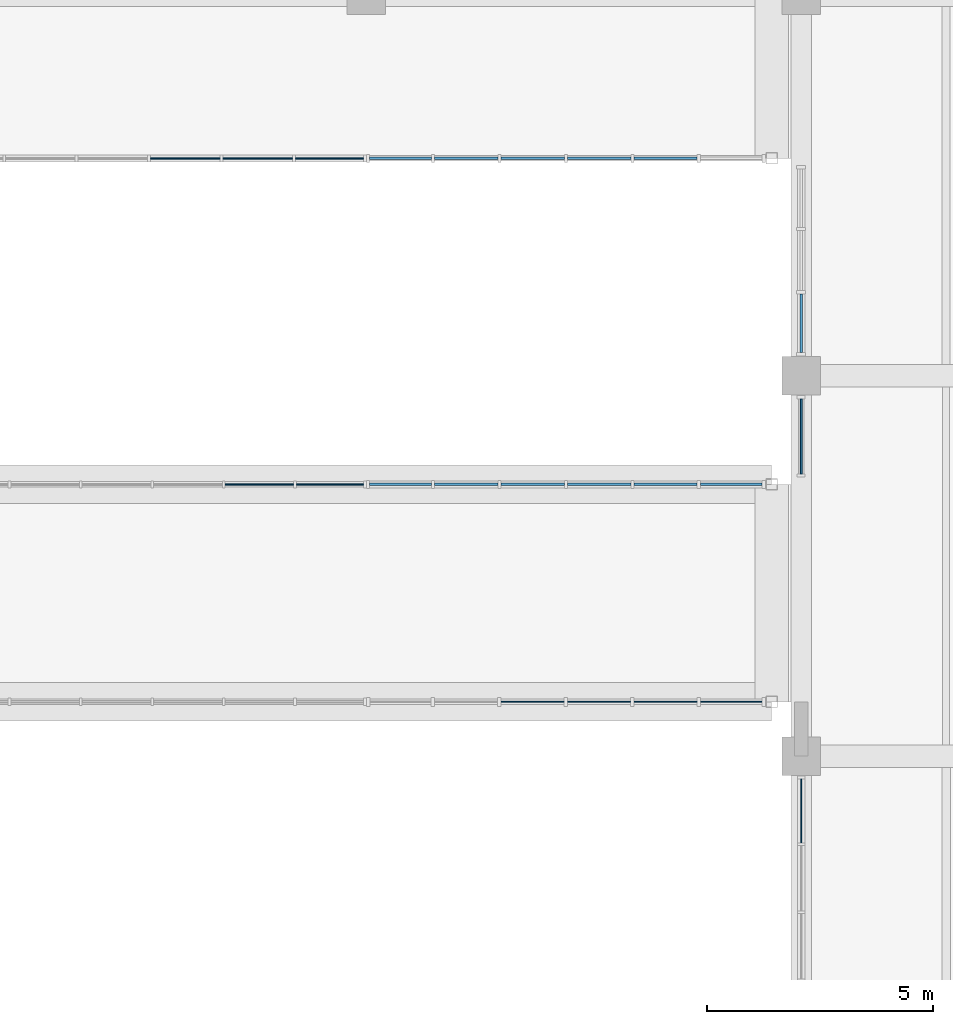
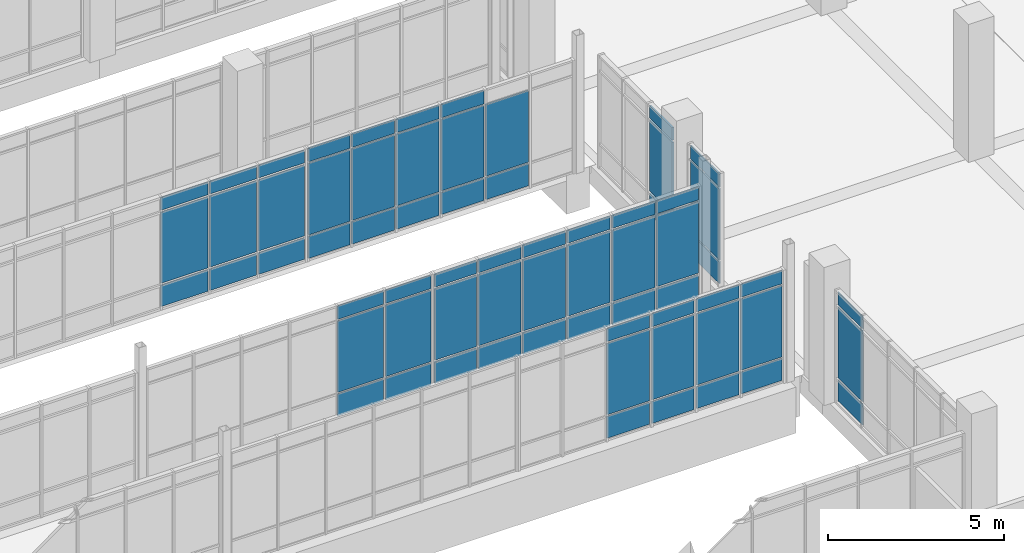
# One storey, part 101 of 152: 68 plates, 8 elements without a shape of their own.
"""IFC4 building model written with IfcOpenShell, lengths in metres."""

from ifc_helpers import new_model, si_unit, direction, frame, origin, origin_2d, place, context, subcontext, project, spatial, rectangle, extrude, material, layer, layer_set, type_object, element, aggregate, save


model = new_model("IFC4")

# Units and contexts
model_context = context("Model", 3, precision=1e-05, world=origin(), true_north=direction((0.0, 1.0)))
body_context = subcontext(model_context, "Body", "Model", "MODEL_VIEW")
ifc_project = project(units=[si_unit("LENGTHUNIT", "METRE"), si_unit("AREAUNIT", "SQUARE_METRE"), si_unit("VOLUMEUNIT", "CUBIC_METRE"), si_unit("PLANEANGLEUNIT", "RADIAN"), si_unit("MASSUNIT", "GRAM", prefix="KILO")], contexts=[model_context])

# Site, building, storey
site_placement = place(None, origin())
site = spatial("IfcSite", under=ifc_project, at=site_placement, CompositionType="ELEMENT")
building_placement = place(site_placement, origin())
building = spatial("IfcBuilding", under=site, at=building_placement, Name="Oolite Switchyard Hospital", CompositionType="ELEMENT")
storey_placement = place(building_placement, frame((0.0, 0.0, 5.10009765625)))
storey = spatial("IfcBuildingStorey", under=building, at=storey_placement, Name="L01", CompositionType="ELEMENT", Elevation=5.10009765625)

# Curtain wall, plates
ifc_material_1 = material(Name="Thermally broken aluminum frame with laminated impact glazing", Category="aluminium")
curtain_wall_type_1 = type_object("IfcCurtainWallType", Name="CW-BRG-96X38", PredefinedType="USERDEFINED", material=ifc_material_1)
curtain_wall_1_placement = place(storey_placement, origin())
curtain_wall_1 = element("IfcCurtainWall", 1, at=curtain_wall_1_placement, inside=storey, type_object=curtain_wall_type_1, Name="L01 Unitised Curtain Wall 123", ObjectType="UNITISED", PredefinedType="USERDEFINED")
ifc_material_2 = material(Name="Insulated fluoropolymer-coated aluminum spandrel panel", Category="aluminium")
ifc_layer_1 = layer(ifc_material_2, 0.054931640625)
ifc_layer_set_1 = layer_set([ifc_layer_1], Name="CW-PNL-SPN55")
plate_type_1 = type_object("IfcPlateType", Name="CW-PNL-SPN55", PredefinedType="CURTAIN_PANEL", material=ifc_layer_set_1)
plate_1_placement = place(storey_placement, frame((173.551513671875, 39.60009765625, 0.07470703125), z_axis=(0.0, 0.0, 1.0), x_axis=(1.0, 0.0, 0.0)))
plate_1 = element("IfcPlate", 2, at=plate_1_placement, type_object=plate_type_1, Name="CW-12 panel 1.1", PredefinedType="CURTAIN_PANEL", context=body_context, shape_type="SweptSolid", body=[
    extrude(rectangle(XDim=1.363037109375, YDim=0.054931640625, at=origin_2d()), origin(), (0.0, 0.0, 1.0), 0.737548828125),
])
plate_2_placement = place(storey_placement, frame((173.551513671875, 39.60009765625, 0.88720703125), z_axis=(0.0, 0.0, 1.0), x_axis=(1.0, 0.0, 0.0)))
plate_2 = element("IfcPlate", 3, at=plate_2_placement, type_object=plate_type_1, Name="CW-12 panel 1.2", PredefinedType="CURTAIN_PANEL", context=body_context, shape_type="SweptSolid", body=[
    extrude(rectangle(XDim=1.363037109375, YDim=0.054931640625, at=origin_2d()), origin(), (0.0, 0.0, 1.0), 2.465087890625),
])
plate_3_placement = place(storey_placement, frame((173.551513671875, 39.60009765625, 3.427490234375), z_axis=(0.0, 0.0, 1.0), x_axis=(1.0, 0.0, 0.0)))
plate_3 = element("IfcPlate", 4, at=plate_3_placement, type_object=plate_type_1, Name="CW-12 panel 1.3", PredefinedType="CURTAIN_PANEL", context=body_context, shape_type="SweptSolid", body=[
    extrude(rectangle(XDim=1.363037109375, YDim=0.054931640625, at=origin_2d()), origin(), (0.0, 0.0, 1.0), 0.4375),
])
plate_4_placement = place(storey_placement, frame((175.001953125, 39.60009765625, 0.07470703125), z_axis=(0.0, 0.0, 1.0), x_axis=(1.0, 0.0, 0.0)))
plate_4 = element("IfcPlate", 5, at=plate_4_placement, type_object=plate_type_1, Name="CW-12 panel 2.1", PredefinedType="CURTAIN_PANEL", context=body_context, shape_type="SweptSolid", body=[
    extrude(rectangle(XDim=1.39794921875, YDim=0.054931640625, at=origin_2d()), origin(), (0.0, 0.0, 1.0), 0.737548828125),
])
plate_5_placement = place(storey_placement, frame((175.001953125, 39.60009765625, 0.88720703125), z_axis=(0.0, 0.0, 1.0), x_axis=(1.0, 0.0, 0.0)))
plate_5 = element("IfcPlate", 6, at=plate_5_placement, type_object=plate_type_1, Name="CW-12 panel 2.2", PredefinedType="CURTAIN_PANEL", context=body_context, shape_type="SweptSolid", body=[
    extrude(rectangle(XDim=1.39794921875, YDim=0.054931640625, at=origin_2d()), origin(), (0.0, 0.0, 1.0), 2.465087890625),
])
plate_6_placement = place(storey_placement, frame((175.001953125, 39.60009765625, 3.427490234375), z_axis=(0.0, 0.0, 1.0), x_axis=(1.0, 0.0, 0.0)))
plate_6 = element("IfcPlate", 7, at=plate_6_placement, type_object=plate_type_1, Name="CW-12 panel 2.3", PredefinedType="CURTAIN_PANEL", context=body_context, shape_type="SweptSolid", body=[
    extrude(rectangle(XDim=1.39794921875, YDim=0.054931640625, at=origin_2d()), origin(), (0.0, 0.0, 1.0), 0.4375),
])
plate_7_placement = place(storey_placement, frame((176.469970703125, 39.60009765625, 0.07470703125), z_axis=(0.0, 0.0, 1.0), x_axis=(1.0, 0.0, 0.0)))
plate_7 = element("IfcPlate", 8, at=plate_7_placement, type_object=plate_type_1, Name="CW-12 panel 3.1", PredefinedType="CURTAIN_PANEL", context=body_context, shape_type="SweptSolid", body=[
    extrude(rectangle(XDim=1.39794921875, YDim=0.054931640625, at=origin_2d()), origin(), (0.0, 0.0, 1.0), 0.737548828125),
])
plate_8_placement = place(storey_placement, frame((176.469970703125, 39.60009765625, 0.88720703125), z_axis=(0.0, 0.0, 1.0), x_axis=(1.0, 0.0, 0.0)))
plate_8 = element("IfcPlate", 9, at=plate_8_placement, type_object=plate_type_1, Name="CW-12 panel 3.2", PredefinedType="CURTAIN_PANEL", context=body_context, shape_type="SweptSolid", body=[
    extrude(rectangle(XDim=1.39794921875, YDim=0.054931640625, at=origin_2d()), origin(), (0.0, 0.0, 1.0), 2.465087890625),
])
plate_9_placement = place(storey_placement, frame((176.469970703125, 39.60009765625, 3.427490234375), z_axis=(0.0, 0.0, 1.0), x_axis=(1.0, 0.0, 0.0)))
plate_9 = element("IfcPlate", 10, at=plate_9_placement, type_object=plate_type_1, Name="CW-12 panel 3.3", PredefinedType="CURTAIN_PANEL", context=body_context, shape_type="SweptSolid", body=[
    extrude(rectangle(XDim=1.39794921875, YDim=0.054931640625, at=origin_2d()), origin(), (0.0, 0.0, 1.0), 0.4375),
])
plate_10_placement = place(storey_placement, frame((177.93798828125, 39.60009765625, 0.07470703125), z_axis=(0.0, 0.0, 1.0), x_axis=(1.0, 0.0, 0.0)))
plate_10 = element("IfcPlate", 11, at=plate_10_placement, type_object=plate_type_1, Name="CW-12 panel 4.1", PredefinedType="CURTAIN_PANEL", context=body_context, shape_type="SweptSolid", body=[
    extrude(rectangle(XDim=1.39794921875, YDim=0.054931640625, at=origin_2d()), origin(), (0.0, 0.0, 1.0), 0.737548828125),
])
plate_11_placement = place(storey_placement, frame((177.93798828125, 39.60009765625, 0.88720703125), z_axis=(0.0, 0.0, 1.0), x_axis=(1.0, 0.0, 0.0)))
plate_11 = element("IfcPlate", 12, at=plate_11_placement, type_object=plate_type_1, Name="CW-12 panel 4.2", PredefinedType="CURTAIN_PANEL", context=body_context, shape_type="SweptSolid", body=[
    extrude(rectangle(XDim=1.39794921875, YDim=0.054931640625, at=origin_2d()), origin(), (0.0, 0.0, 1.0), 2.465087890625),
])
plate_12_placement = place(storey_placement, frame((177.93798828125, 39.60009765625, 3.427490234375), z_axis=(0.0, 0.0, 1.0), x_axis=(1.0, 0.0, 0.0)))
plate_12 = element("IfcPlate", 13, at=plate_12_placement, type_object=plate_type_1, Name="CW-12 panel 4.3", PredefinedType="CURTAIN_PANEL", context=body_context, shape_type="SweptSolid", body=[
    extrude(rectangle(XDim=1.39794921875, YDim=0.054931640625, at=origin_2d()), origin(), (0.0, 0.0, 1.0), 0.4375),
])
plate_13_placement = place(storey_placement, frame((179.406005859375, 39.60009765625, 0.07470703125), z_axis=(0.0, 0.0, 1.0), x_axis=(1.0, 0.0, 0.0)))
plate_13 = element("IfcPlate", 14, at=plate_13_placement, type_object=plate_type_1, Name="CW-12 panel 5.1", PredefinedType="CURTAIN_PANEL", context=body_context, shape_type="SweptSolid", body=[
    extrude(rectangle(XDim=1.39794921875, YDim=0.054931640625, at=origin_2d()), origin(), (0.0, 0.0, 1.0), 0.737548828125),
])
plate_14_placement = place(storey_placement, frame((179.406005859375, 39.60009765625, 0.88720703125), z_axis=(0.0, 0.0, 1.0), x_axis=(1.0, 0.0, 0.0)))
plate_14 = element("IfcPlate", 15, at=plate_14_placement, type_object=plate_type_1, Name="CW-12 panel 5.2", PredefinedType="CURTAIN_PANEL", context=body_context, shape_type="SweptSolid", body=[
    extrude(rectangle(XDim=1.39794921875, YDim=0.054931640625, at=origin_2d()), origin(), (0.0, 0.0, 1.0), 2.465087890625),
])
plate_15_placement = place(storey_placement, frame((179.406005859375, 39.60009765625, 3.427490234375), z_axis=(0.0, 0.0, 1.0), x_axis=(1.0, 0.0, 0.0)))
plate_15 = element("IfcPlate", 16, at=plate_15_placement, type_object=plate_type_1, Name="CW-12 panel 5.3", PredefinedType="CURTAIN_PANEL", context=body_context, shape_type="SweptSolid", body=[
    extrude(rectangle(XDim=1.39794921875, YDim=0.054931640625, at=origin_2d()), origin(), (0.0, 0.0, 1.0), 0.4375),
])
plate_16_placement = place(storey_placement, frame((180.8564453125, 39.60009765625, 0.07470703125), z_axis=(0.0, 0.0, 1.0), x_axis=(1.0, 0.0, 0.0)))
plate_16 = element("IfcPlate", 17, at=plate_16_placement, type_object=plate_type_1, Name="CW-12 panel 6.1", PredefinedType="CURTAIN_PANEL", context=body_context, shape_type="SweptSolid", body=[
    extrude(rectangle(XDim=1.363037109375, YDim=0.054931640625, at=origin_2d()), origin(), (0.0, 0.0, 1.0), 0.737548828125),
])
plate_17_placement = place(storey_placement, frame((180.8564453125, 39.60009765625, 0.88720703125), z_axis=(0.0, 0.0, 1.0), x_axis=(1.0, 0.0, 0.0)))
plate_17 = element("IfcPlate", 18, at=plate_17_placement, type_object=plate_type_1, Name="CW-12 panel 6.2", PredefinedType="CURTAIN_PANEL", context=body_context, shape_type="SweptSolid", body=[
    extrude(rectangle(XDim=1.363037109375, YDim=0.054931640625, at=origin_2d()), origin(), (0.0, 0.0, 1.0), 2.465087890625),
])
plate_18_placement = place(storey_placement, frame((180.8564453125, 39.60009765625, 3.427490234375), z_axis=(0.0, 0.0, 1.0), x_axis=(1.0, 0.0, 0.0)))
plate_18 = element("IfcPlate", 19, at=plate_18_placement, type_object=plate_type_1, Name="CW-12 panel 6.3", PredefinedType="CURTAIN_PANEL", context=body_context, shape_type="SweptSolid", body=[
    extrude(rectangle(XDim=1.363037109375, YDim=0.054931640625, at=origin_2d()), origin(), (0.0, 0.0, 1.0), 0.4375),
])
aggregate(curtain_wall_1, [plate_1, plate_2, plate_3, plate_4, plate_5, plate_6, plate_7, plate_8, plate_9, plate_10, plate_11, plate_12, plate_13, plate_14, plate_15, plate_16, plate_17, plate_18])

curtain_wall_2_placement = place(storey_placement, origin())
curtain_wall_2 = element("IfcCurtainWall", 20, at=curtain_wall_2_placement, inside=storey, type_object=curtain_wall_type_1, Name="L01 Unitised Curtain Wall 126", ObjectType="UNITISED", PredefinedType="USERDEFINED")
plate_19_placement = place(storey_placement, frame((179.406005859375, 46.800048828125, 0.06005859375), z_axis=(0.0, 0.0, 1.0), x_axis=(-1.0, 0.0, 0.0)))
plate_19 = element("IfcPlate", 21, at=plate_19_placement, type_object=plate_type_1, Name="CW-12 panel 2.1", PredefinedType="CURTAIN_PANEL", context=body_context, shape_type="SweptSolid", body=[
    extrude(rectangle(XDim=1.39794921875, YDim=0.054931640625, at=origin_2d()), origin(), (0.0, 0.0, 1.0), 0.760009765625),
])
plate_20_placement = place(storey_placement, frame((179.406005859375, 46.800048828125, 0.8798828125), z_axis=(0.0, 0.0, 1.0), x_axis=(-1.0, 0.0, 0.0)))
plate_20 = element("IfcPlate", 22, at=plate_20_placement, type_object=plate_type_1, Name="CW-12 panel 2.2", PredefinedType="CURTAIN_PANEL", context=body_context, shape_type="SweptSolid", body=[
    extrude(rectangle(XDim=1.39794921875, YDim=0.054931640625, at=origin_2d()), origin(), (0.0, 0.0, 1.0), 2.47998046875),
])
plate_21_placement = place(storey_placement, frame((177.93798828125, 46.800048828125, 0.06005859375), z_axis=(0.0, 0.0, 1.0), x_axis=(-1.0, 0.0, 0.0)))
plate_21 = element("IfcPlate", 23, at=plate_21_placement, type_object=plate_type_1, Name="CW-12 panel 3.1", PredefinedType="CURTAIN_PANEL", context=body_context, shape_type="SweptSolid", body=[
    extrude(rectangle(XDim=1.39794921875, YDim=0.054931640625, at=origin_2d()), origin(), (0.0, 0.0, 1.0), 0.760009765625),
])
plate_22_placement = place(storey_placement, frame((177.93798828125, 46.800048828125, 0.8798828125), z_axis=(0.0, 0.0, 1.0), x_axis=(-1.0, 0.0, 0.0)))
plate_22 = element("IfcPlate", 24, at=plate_22_placement, type_object=plate_type_1, Name="CW-12 panel 3.2", PredefinedType="CURTAIN_PANEL", context=body_context, shape_type="SweptSolid", body=[
    extrude(rectangle(XDim=1.39794921875, YDim=0.054931640625, at=origin_2d()), origin(), (0.0, 0.0, 1.0), 2.47998046875),
])
plate_23_placement = place(storey_placement, frame((177.93798828125, 46.800048828125, 3.419921875), z_axis=(0.0, 0.0, 1.0), x_axis=(-1.0, 0.0, 0.0)))
plate_23 = element("IfcPlate", 25, at=plate_23_placement, type_object=plate_type_1, Name="CW-12 panel 3.3", PredefinedType="CURTAIN_PANEL", context=body_context, shape_type="SweptSolid", body=[
    extrude(rectangle(XDim=1.39794921875, YDim=0.054931640625, at=origin_2d()), origin(), (0.0, 0.0, 1.0), 0.4599609375),
])
plate_24_placement = place(storey_placement, frame((176.469970703125, 46.800048828125, 0.06005859375), z_axis=(0.0, 0.0, 1.0), x_axis=(-1.0, 0.0, 0.0)))
plate_24 = element("IfcPlate", 26, at=plate_24_placement, type_object=plate_type_1, Name="CW-12 panel 4.1", PredefinedType="CURTAIN_PANEL", context=body_context, shape_type="SweptSolid", body=[
    extrude(rectangle(XDim=1.39794921875, YDim=0.054931640625, at=origin_2d()), origin(), (0.0, 0.0, 1.0), 0.760009765625),
])
plate_25_placement = place(storey_placement, frame((176.469970703125, 46.800048828125, 0.8798828125), z_axis=(0.0, 0.0, 1.0), x_axis=(-1.0, 0.0, 0.0)))
plate_25 = element("IfcPlate", 27, at=plate_25_placement, type_object=plate_type_1, Name="CW-12 panel 4.2", PredefinedType="CURTAIN_PANEL", context=body_context, shape_type="SweptSolid", body=[
    extrude(rectangle(XDim=1.39794921875, YDim=0.054931640625, at=origin_2d()), origin(), (0.0, 0.0, 1.0), 2.47998046875),
])
plate_26_placement = place(storey_placement, frame((176.469970703125, 46.800048828125, 3.419921875), z_axis=(0.0, 0.0, 1.0), x_axis=(-1.0, 0.0, 0.0)))
plate_26 = element("IfcPlate", 28, at=plate_26_placement, type_object=plate_type_1, Name="CW-12 panel 4.3", PredefinedType="CURTAIN_PANEL", context=body_context, shape_type="SweptSolid", body=[
    extrude(rectangle(XDim=1.39794921875, YDim=0.054931640625, at=origin_2d()), origin(), (0.0, 0.0, 1.0), 0.4599609375),
])
plate_27_placement = place(storey_placement, frame((175.001953125, 46.800048828125, 0.06005859375), z_axis=(0.0, 0.0, 1.0), x_axis=(-1.0, 0.0, 0.0)))
plate_27 = element("IfcPlate", 29, at=plate_27_placement, type_object=plate_type_1, Name="CW-12 panel 5.1", PredefinedType="CURTAIN_PANEL", context=body_context, shape_type="SweptSolid", body=[
    extrude(rectangle(XDim=1.39794921875, YDim=0.054931640625, at=origin_2d()), origin(), (0.0, 0.0, 1.0), 0.760009765625),
])
plate_28_placement = place(storey_placement, frame((175.001953125, 46.800048828125, 0.8798828125), z_axis=(0.0, 0.0, 1.0), x_axis=(-1.0, 0.0, 0.0)))
plate_28 = element("IfcPlate", 30, at=plate_28_placement, type_object=plate_type_1, Name="CW-12 panel 5.2", PredefinedType="CURTAIN_PANEL", context=body_context, shape_type="SweptSolid", body=[
    extrude(rectangle(XDim=1.39794921875, YDim=0.054931640625, at=origin_2d()), origin(), (0.0, 0.0, 1.0), 2.47998046875),
])
plate_29_placement = place(storey_placement, frame((175.001953125, 46.800048828125, 3.419921875), z_axis=(0.0, 0.0, 1.0), x_axis=(-1.0, 0.0, 0.0)))
plate_29 = element("IfcPlate", 31, at=plate_29_placement, type_object=plate_type_1, Name="CW-12 panel 5.3", PredefinedType="CURTAIN_PANEL", context=body_context, shape_type="SweptSolid", body=[
    extrude(rectangle(XDim=1.39794921875, YDim=0.054931640625, at=origin_2d()), origin(), (0.0, 0.0, 1.0), 0.4599609375),
])
plate_30_placement = place(storey_placement, frame((173.551513671875, 46.800048828125, 0.06005859375), z_axis=(0.0, 0.0, 1.0), x_axis=(-1.0, 0.0, 0.0)))
plate_30 = element("IfcPlate", 32, at=plate_30_placement, type_object=plate_type_1, Name="CW-12 panel 6.1", PredefinedType="CURTAIN_PANEL", context=body_context, shape_type="SweptSolid", body=[
    extrude(rectangle(XDim=1.363037109375, YDim=0.054931640625, at=origin_2d()), origin(), (0.0, 0.0, 1.0), 0.760009765625),
])
plate_31_placement = place(storey_placement, frame((173.551513671875, 46.800048828125, 0.8798828125), z_axis=(0.0, 0.0, 1.0), x_axis=(-1.0, 0.0, 0.0)))
plate_31 = element("IfcPlate", 33, at=plate_31_placement, type_object=plate_type_1, Name="CW-12 panel 6.2", PredefinedType="CURTAIN_PANEL", context=body_context, shape_type="SweptSolid", body=[
    extrude(rectangle(XDim=1.363037109375, YDim=0.054931640625, at=origin_2d()), origin(), (0.0, 0.0, 1.0), 2.47998046875),
])
plate_32_placement = place(storey_placement, frame((173.551513671875, 46.800048828125, 3.419921875), z_axis=(0.0, 0.0, 1.0), x_axis=(-1.0, 0.0, 0.0)))
plate_32 = element("IfcPlate", 34, at=plate_32_placement, type_object=plate_type_1, Name="CW-12 panel 6.3", PredefinedType="CURTAIN_PANEL", context=body_context, shape_type="SweptSolid", body=[
    extrude(rectangle(XDim=1.363037109375, YDim=0.054931640625, at=origin_2d()), origin(), (0.0, 0.0, 1.0), 0.4599609375),
])
aggregate(curtain_wall_2, [plate_19, plate_20, plate_21, plate_22, plate_23, plate_24, plate_25, plate_26, plate_27, plate_28, plate_29, plate_30, plate_31, plate_32])

curtain_wall_3_placement = place(storey_placement, origin())
curtain_wall_3 = element("IfcCurtainWall", 35, at=curtain_wall_3_placement, inside=storey, type_object=curtain_wall_type_1, Name="L01 Unitised Curtain Wall 199", ObjectType="UNITISED", PredefinedType="USERDEFINED")
plate_33_placement = place(storey_placement, frame((182.39990234375, 43.15869140625, 0.07470703125), z_axis=(0.0, 0.0, 1.0), x_axis=(0.0, 1.0, 0.0)))
plate_33 = element("IfcPlate", 36, at=plate_33_placement, type_object=plate_type_1, Name="CW-12 panel 1.1", PredefinedType="CURTAIN_PANEL", context=body_context, shape_type="SweptSolid", body=[
    extrude(rectangle(XDim=1.28759765625, YDim=0.054931640625, at=origin_2d()), origin(), (0.0, 0.0, 1.0), 0.737548828125),
])
plate_34_placement = place(storey_placement, frame((182.39990234375, 43.15869140625, 0.88720703125), z_axis=(0.0, 0.0, 1.0), x_axis=(0.0, 1.0, 0.0)))
plate_34 = element("IfcPlate", 37, at=plate_34_placement, type_object=plate_type_1, Name="CW-12 panel 1.2", PredefinedType="CURTAIN_PANEL", context=body_context, shape_type="SweptSolid", body=[
    extrude(rectangle(XDim=1.28759765625, YDim=0.054931640625, at=origin_2d()), origin(), (0.0, 0.0, 1.0), 2.465087890625),
])
plate_35_placement = place(storey_placement, frame((182.39990234375, 43.15869140625, 3.427490234375), z_axis=(0.0, 0.0, 1.0), x_axis=(0.0, 1.0, 0.0)))
plate_35 = element("IfcPlate", 38, at=plate_35_placement, type_object=plate_type_1, Name="CW-12 panel 1.3", PredefinedType="CURTAIN_PANEL", context=body_context, shape_type="SweptSolid", body=[
    extrude(rectangle(XDim=1.28759765625, YDim=0.054931640625, at=origin_2d()), origin(), (0.0, 0.0, 1.0), 0.4375),
])
aggregate(curtain_wall_3, [plate_33, plate_34, plate_35])

curtain_wall_4_placement = place(storey_placement, origin())
curtain_wall_4 = element("IfcCurtainWall", 39, at=curtain_wall_4_placement, inside=storey, type_object=curtain_wall_type_1, Name="L01 Unitised Curtain Wall 118", ObjectType="UNITISED", PredefinedType="USERDEFINED")
ifc_material_3 = material(Name="Laminated hurricane-impact insulated glazing unit", Category="glass")
ifc_layer_2 = layer(ifc_material_3, 0.028076171875)
ifc_layer_set_2 = layer_set([ifc_layer_2], Name="CW-PNL-VIS28")
plate_type_2 = type_object("IfcPlateType", Name="CW-PNL-VIS28", PredefinedType="CURTAIN_PANEL", material=ifc_layer_set_2)
plate_36_placement = place(storey_placement, frame((180.855224609375, 34.800048828125, 0.06005859375), z_axis=(0.0, 0.0, 1.0), x_axis=(-1.0, 0.0, 0.0)))
plate_36 = element("IfcPlate", 40, at=plate_36_placement, type_object=plate_type_2, Name="CW-12 panel 1.1", PredefinedType="CURTAIN_PANEL", context=body_context, shape_type="SweptSolid", body=[
    extrude(rectangle(XDim=1.35546875, YDim=0.028076171875, at=origin_2d()), origin(), (0.0, 0.0, 1.0), 0.760009765625),
])
plate_37_placement = place(storey_placement, frame((180.855224609375, 34.800048828125, 0.8798828125), z_axis=(0.0, 0.0, 1.0), x_axis=(-1.0, 0.0, 0.0)))
plate_37 = element("IfcPlate", 41, at=plate_37_placement, type_object=plate_type_2, Name="CW-12 panel 1.2", PredefinedType="CURTAIN_PANEL", context=body_context, shape_type="SweptSolid", body=[
    extrude(rectangle(XDim=1.35546875, YDim=0.028076171875, at=origin_2d()), origin(), (0.0, 0.0, 1.0), 2.47998046875),
])
plate_38_placement = place(storey_placement, frame((180.855224609375, 34.800048828125, 3.419921875), z_axis=(0.0, 0.0, 1.0), x_axis=(-1.0, 0.0, 0.0)))
plate_38 = element("IfcPlate", 42, at=plate_38_placement, type_object=plate_type_2, Name="CW-12 panel 1.3", PredefinedType="CURTAIN_PANEL", context=body_context, shape_type="SweptSolid", body=[
    extrude(rectangle(XDim=1.35546875, YDim=0.028076171875, at=origin_2d()), origin(), (0.0, 0.0, 1.0), 0.4599609375),
])
plate_39_placement = place(storey_placement, frame((179.406005859375, 34.800048828125, 0.06005859375), z_axis=(0.0, 0.0, 1.0), x_axis=(-1.0, 0.0, 0.0)))
plate_39 = element("IfcPlate", 43, at=plate_39_placement, type_object=plate_type_2, Name="CW-12 panel 2.1", PredefinedType="CURTAIN_PANEL", context=body_context, shape_type="SweptSolid", body=[
    extrude(rectangle(XDim=1.39306640625, YDim=0.028076171875, at=origin_2d()), origin(), (0.0, 0.0, 1.0), 0.760009765625),
])
plate_40_placement = place(storey_placement, frame((179.406005859375, 34.800048828125, 0.8798828125), z_axis=(0.0, 0.0, 1.0), x_axis=(-1.0, 0.0, 0.0)))
plate_40 = element("IfcPlate", 44, at=plate_40_placement, type_object=plate_type_2, Name="CW-12 panel 2.2", PredefinedType="CURTAIN_PANEL", context=body_context, shape_type="SweptSolid", body=[
    extrude(rectangle(XDim=1.39306640625, YDim=0.028076171875, at=origin_2d()), origin(), (0.0, 0.0, 1.0), 2.47998046875),
])
plate_41_placement = place(storey_placement, frame((179.406005859375, 34.800048828125, 3.419921875), z_axis=(0.0, 0.0, 1.0), x_axis=(-1.0, 0.0, 0.0)))
plate_41 = element("IfcPlate", 45, at=plate_41_placement, type_object=plate_type_2, Name="CW-12 panel 2.3", PredefinedType="CURTAIN_PANEL", context=body_context, shape_type="SweptSolid", body=[
    extrude(rectangle(XDim=1.39306640625, YDim=0.028076171875, at=origin_2d()), origin(), (0.0, 0.0, 1.0), 0.4599609375),
])
plate_42_placement = place(storey_placement, frame((177.93798828125, 34.800048828125, 0.06005859375), z_axis=(0.0, 0.0, 1.0), x_axis=(-1.0, 0.0, 0.0)))
plate_42 = element("IfcPlate", 46, at=plate_42_placement, type_object=plate_type_2, Name="CW-12 panel 3.1", PredefinedType="CURTAIN_PANEL", context=body_context, shape_type="SweptSolid", body=[
    extrude(rectangle(XDim=1.39306640625, YDim=0.028076171875, at=origin_2d()), origin(), (0.0, 0.0, 1.0), 0.760009765625),
])
plate_43_placement = place(storey_placement, frame((177.93798828125, 34.800048828125, 0.8798828125), z_axis=(0.0, 0.0, 1.0), x_axis=(-1.0, 0.0, 0.0)))
plate_43 = element("IfcPlate", 47, at=plate_43_placement, type_object=plate_type_2, Name="CW-12 panel 3.2", PredefinedType="CURTAIN_PANEL", context=body_context, shape_type="SweptSolid", body=[
    extrude(rectangle(XDim=1.39306640625, YDim=0.028076171875, at=origin_2d()), origin(), (0.0, 0.0, 1.0), 2.47998046875),
])
plate_44_placement = place(storey_placement, frame((177.93798828125, 34.800048828125, 3.419921875), z_axis=(0.0, 0.0, 1.0), x_axis=(-1.0, 0.0, 0.0)))
plate_44 = element("IfcPlate", 48, at=plate_44_placement, type_object=plate_type_2, Name="CW-12 panel 3.3", PredefinedType="CURTAIN_PANEL", context=body_context, shape_type="SweptSolid", body=[
    extrude(rectangle(XDim=1.39306640625, YDim=0.028076171875, at=origin_2d()), origin(), (0.0, 0.0, 1.0), 0.4599609375),
])
plate_45_placement = place(storey_placement, frame((176.469970703125, 34.800048828125, 0.06005859375), z_axis=(0.0, 0.0, 1.0), x_axis=(-1.0, 0.0, 0.0)))
plate_45 = element("IfcPlate", 49, at=plate_45_placement, type_object=plate_type_2, Name="CW-12 panel 4.1", PredefinedType="CURTAIN_PANEL", context=body_context, shape_type="SweptSolid", body=[
    extrude(rectangle(XDim=1.39306640625, YDim=0.028076171875, at=origin_2d()), origin(), (0.0, 0.0, 1.0), 0.760009765625),
])
plate_46_placement = place(storey_placement, frame((176.469970703125, 34.800048828125, 0.8798828125), z_axis=(0.0, 0.0, 1.0), x_axis=(-1.0, 0.0, 0.0)))
plate_46 = element("IfcPlate", 50, at=plate_46_placement, type_object=plate_type_2, Name="CW-12 panel 4.2", PredefinedType="CURTAIN_PANEL", context=body_context, shape_type="SweptSolid", body=[
    extrude(rectangle(XDim=1.39306640625, YDim=0.028076171875, at=origin_2d()), origin(), (0.0, 0.0, 1.0), 2.47998046875),
])
plate_47_placement = place(storey_placement, frame((176.469970703125, 34.800048828125, 3.419921875), z_axis=(0.0, 0.0, 1.0), x_axis=(-1.0, 0.0, 0.0)))
plate_47 = element("IfcPlate", 51, at=plate_47_placement, type_object=plate_type_2, Name="CW-12 panel 4.3", PredefinedType="CURTAIN_PANEL", context=body_context, shape_type="SweptSolid", body=[
    extrude(rectangle(XDim=1.39306640625, YDim=0.028076171875, at=origin_2d()), origin(), (0.0, 0.0, 1.0), 0.4599609375),
])
aggregate(curtain_wall_4, [plate_36, plate_37, plate_38, plate_39, plate_40, plate_41, plate_42, plate_43, plate_44, plate_45, plate_46, plate_47])

curtain_wall_type_2 = type_object("IfcCurtainWallType", Name="CW-UNIT-84X48", PredefinedType="USERDEFINED", material=ifc_material_1)
curtain_wall_5_placement = place(storey_placement, origin())
curtain_wall_5 = element("IfcCurtainWall", 52, at=curtain_wall_5_placement, inside=storey, type_object=curtain_wall_type_2, Name="L01 Unitised Curtain Wall 197", ObjectType="UNITISED", PredefinedType="USERDEFINED")
plate_48_placement = place(storey_placement, frame((182.39990234375, 32.39306640625, 0.07470703125), z_axis=(0.0, 0.0, 1.0), x_axis=(0.0, 1.0, 0.0)))
plate_48 = element("IfcPlate", 53, at=plate_48_placement, type_object=plate_type_2, Name="CW-07 panel 5.1", PredefinedType="CURTAIN_PANEL", context=body_context, shape_type="SweptSolid", body=[
    extrude(rectangle(XDim=1.4140625, YDim=0.028076171875, at=origin_2d()), origin(), (0.0, 0.0, 1.0), 0.737548828125),
])
plate_49_placement = place(storey_placement, frame((182.39990234375, 32.39306640625, 0.88720703125), z_axis=(0.0, 0.0, 1.0), x_axis=(0.0, 1.0, 0.0)))
plate_49 = element("IfcPlate", 54, at=plate_49_placement, type_object=plate_type_2, Name="CW-07 panel 5.2", PredefinedType="CURTAIN_PANEL", context=body_context, shape_type="SweptSolid", body=[
    extrude(rectangle(XDim=1.4140625, YDim=0.028076171875, at=origin_2d()), origin(), (0.0, 0.0, 1.0), 2.465087890625),
])
plate_50_placement = place(storey_placement, frame((182.39990234375, 32.39306640625, 3.427490234375), z_axis=(0.0, 0.0, 1.0), x_axis=(0.0, 1.0, 0.0)))
plate_50 = element("IfcPlate", 55, at=plate_50_placement, type_object=plate_type_2, Name="CW-07 panel 5.3", PredefinedType="CURTAIN_PANEL", context=body_context, shape_type="SweptSolid", body=[
    extrude(rectangle(XDim=1.4140625, YDim=0.028076171875, at=origin_2d()), origin(), (0.0, 0.0, 1.0), 0.4375),
])
aggregate(curtain_wall_5, [plate_48, plate_49, plate_50])

curtain_wall_6_placement = place(storey_placement, origin())
curtain_wall_6 = element("IfcCurtainWall", 56, at=curtain_wall_6_placement, inside=storey, type_object=curtain_wall_type_1, Name="L01 Unitised Curtain Wall 122", ObjectType="UNITISED", PredefinedType="USERDEFINED")
ifc_layer_3 = layer(ifc_material_3, 0.035888671875)
ifc_layer_set_3 = layer_set([ifc_layer_3], Name="CW-PNL-VIS36")
plate_type_3 = type_object("IfcPlateType", Name="CW-PNL-VIS36", PredefinedType="CURTAIN_PANEL", material=ifc_layer_set_3)
plate_51_placement = place(storey_placement, frame((170.435546875, 39.60009765625, 0.06005859375), z_axis=(0.0, 0.0, 1.0), x_axis=(1.0, 0.0, 0.0)))
plate_51 = element("IfcPlate", 57, at=plate_51_placement, type_object=plate_type_3, Name="CW-12 panel 5.1", PredefinedType="CURTAIN_PANEL", context=body_context, shape_type="SweptSolid", body=[
    extrude(rectangle(XDim=1.516357421875, YDim=0.035888671875, at=origin_2d()), origin(), (0.0, 0.0, 1.0), 0.760009765625),
])
plate_52_placement = place(storey_placement, frame((170.435546875, 39.60009765625, 0.8798828125), z_axis=(0.0, 0.0, 1.0), x_axis=(1.0, 0.0, 0.0)))
plate_52 = element("IfcPlate", 58, at=plate_52_placement, type_object=plate_type_3, Name="CW-12 panel 5.2", PredefinedType="CURTAIN_PANEL", context=body_context, shape_type="SweptSolid", body=[
    extrude(rectangle(XDim=1.516357421875, YDim=0.035888671875, at=origin_2d()), origin(), (0.0, 0.0, 1.0), 2.47998046875),
])
plate_53_placement = place(storey_placement, frame((170.435546875, 39.60009765625, 3.419921875), z_axis=(0.0, 0.0, 1.0), x_axis=(1.0, 0.0, 0.0)))
plate_53 = element("IfcPlate", 59, at=plate_53_placement, type_object=plate_type_3, Name="CW-12 panel 5.3", PredefinedType="CURTAIN_PANEL", context=body_context, shape_type="SweptSolid", body=[
    extrude(rectangle(XDim=1.516357421875, YDim=0.035888671875, at=origin_2d()), origin(), (0.0, 0.0, 1.0), 0.4599609375),
])
plate_54_placement = place(storey_placement, frame((171.996826171875, 39.60009765625, 0.06005859375), z_axis=(0.0, 0.0, 1.0), x_axis=(1.0, 0.0, 0.0)))
plate_54 = element("IfcPlate", 60, at=plate_54_placement, type_object=plate_type_3, Name="CW-12 panel 6.1", PredefinedType="CURTAIN_PANEL", context=body_context, shape_type="SweptSolid", body=[
    extrude(rectangle(XDim=1.486328125, YDim=0.035888671875, at=origin_2d()), origin(), (0.0, 0.0, 1.0), 0.760009765625),
])
plate_55_placement = place(storey_placement, frame((171.996826171875, 39.60009765625, 0.8798828125), z_axis=(0.0, 0.0, 1.0), x_axis=(1.0, 0.0, 0.0)))
plate_55 = element("IfcPlate", 61, at=plate_55_placement, type_object=plate_type_3, Name="CW-12 panel 6.2", PredefinedType="CURTAIN_PANEL", context=body_context, shape_type="SweptSolid", body=[
    extrude(rectangle(XDim=1.486328125, YDim=0.035888671875, at=origin_2d()), origin(), (0.0, 0.0, 1.0), 2.47998046875),
])
plate_56_placement = place(storey_placement, frame((171.996826171875, 39.60009765625, 3.419921875), z_axis=(0.0, 0.0, 1.0), x_axis=(1.0, 0.0, 0.0)))
plate_56 = element("IfcPlate", 62, at=plate_56_placement, type_object=plate_type_3, Name="CW-12 panel 6.3", PredefinedType="CURTAIN_PANEL", context=body_context, shape_type="SweptSolid", body=[
    extrude(rectangle(XDim=1.486328125, YDim=0.035888671875, at=origin_2d()), origin(), (0.0, 0.0, 1.0), 0.4599609375),
])
aggregate(curtain_wall_6, [plate_51, plate_52, plate_53, plate_54, plate_55, plate_56])

curtain_wall_7_placement = place(storey_placement, origin())
curtain_wall_7 = element("IfcCurtainWall", 63, at=curtain_wall_7_placement, inside=storey, type_object=curtain_wall_type_1, Name="L01 Unitised Curtain Wall 125", ObjectType="UNITISED", PredefinedType="USERDEFINED")
plate_57_placement = place(storey_placement, frame((171.985107421875, 46.800048828125, 0.07470703125), z_axis=(0.0, 0.0, 1.0), x_axis=(-1.0, 0.0, 0.0)))
plate_57 = element("IfcPlate", 64, at=plate_57_placement, type_object=plate_type_3, Name="CW-12 panel 1.1", PredefinedType="CURTAIN_PANEL", context=body_context, shape_type="SweptSolid", body=[
    extrude(rectangle(XDim=1.510009765625, YDim=0.035888671875, at=origin_2d()), origin(), (0.0, 0.0, 1.0), 0.737548828125),
])
plate_58_placement = place(storey_placement, frame((171.985107421875, 46.800048828125, 0.88720703125), z_axis=(0.0, 0.0, 1.0), x_axis=(-1.0, 0.0, 0.0)))
plate_58 = element("IfcPlate", 65, at=plate_58_placement, type_object=plate_type_3, Name="CW-12 panel 1.2", PredefinedType="CURTAIN_PANEL", context=body_context, shape_type="SweptSolid", body=[
    extrude(rectangle(XDim=1.510009765625, YDim=0.035888671875, at=origin_2d()), origin(), (0.0, 0.0, 1.0), 2.465087890625),
])
plate_59_placement = place(storey_placement, frame((171.985107421875, 46.800048828125, 3.427490234375), z_axis=(0.0, 0.0, 1.0), x_axis=(-1.0, 0.0, 0.0)))
plate_59 = element("IfcPlate", 66, at=plate_59_placement, type_object=plate_type_3, Name="CW-12 panel 1.3", PredefinedType="CURTAIN_PANEL", context=body_context, shape_type="SweptSolid", body=[
    extrude(rectangle(XDim=1.510009765625, YDim=0.035888671875, at=origin_2d()), origin(), (0.0, 0.0, 1.0), 0.4375),
])
plate_60_placement = place(storey_placement, frame((170.39990234375, 46.800048828125, 0.07470703125), z_axis=(0.0, 0.0, 1.0), x_axis=(-1.0, 0.0, 0.0)))
plate_60 = element("IfcPlate", 67, at=plate_60_placement, type_object=plate_type_3, Name="CW-12 panel 2.1", PredefinedType="CURTAIN_PANEL", context=body_context, shape_type="SweptSolid", body=[
    extrude(rectangle(XDim=1.5400390625, YDim=0.035888671875, at=origin_2d()), origin(), (0.0, 0.0, 1.0), 0.737548828125),
])
plate_61_placement = place(storey_placement, frame((170.39990234375, 46.800048828125, 0.88720703125), z_axis=(0.0, 0.0, 1.0), x_axis=(-1.0, 0.0, 0.0)))
plate_61 = element("IfcPlate", 68, at=plate_61_placement, type_object=plate_type_3, Name="CW-12 panel 2.2", PredefinedType="CURTAIN_PANEL", context=body_context, shape_type="SweptSolid", body=[
    extrude(rectangle(XDim=1.5400390625, YDim=0.035888671875, at=origin_2d()), origin(), (0.0, 0.0, 1.0), 2.465087890625),
])
plate_62_placement = place(storey_placement, frame((170.39990234375, 46.800048828125, 3.427490234375), z_axis=(0.0, 0.0, 1.0), x_axis=(-1.0, 0.0, 0.0)))
plate_62 = element("IfcPlate", 69, at=plate_62_placement, type_object=plate_type_3, Name="CW-12 panel 2.3", PredefinedType="CURTAIN_PANEL", context=body_context, shape_type="SweptSolid", body=[
    extrude(rectangle(XDim=1.5400390625, YDim=0.035888671875, at=origin_2d()), origin(), (0.0, 0.0, 1.0), 0.4375),
])
plate_63_placement = place(storey_placement, frame((168.800048828125, 46.800048828125, 0.07470703125), z_axis=(0.0, 0.0, 1.0), x_axis=(-1.0, 0.0, 0.0)))
plate_63 = element("IfcPlate", 70, at=plate_63_placement, type_object=plate_type_3, Name="CW-12 panel 3.1", PredefinedType="CURTAIN_PANEL", context=body_context, shape_type="SweptSolid", body=[
    extrude(rectangle(XDim=1.5400390625, YDim=0.035888671875, at=origin_2d()), origin(), (0.0, 0.0, 1.0), 0.737548828125),
])
plate_64_placement = place(storey_placement, frame((168.800048828125, 46.800048828125, 0.88720703125), z_axis=(0.0, 0.0, 1.0), x_axis=(-1.0, 0.0, 0.0)))
plate_64 = element("IfcPlate", 71, at=plate_64_placement, type_object=plate_type_3, Name="CW-12 panel 3.2", PredefinedType="CURTAIN_PANEL", context=body_context, shape_type="SweptSolid", body=[
    extrude(rectangle(XDim=1.5400390625, YDim=0.035888671875, at=origin_2d()), origin(), (0.0, 0.0, 1.0), 2.465087890625),
])
plate_65_placement = place(storey_placement, frame((168.800048828125, 46.800048828125, 3.427490234375), z_axis=(0.0, 0.0, 1.0), x_axis=(-1.0, 0.0, 0.0)))
plate_65 = element("IfcPlate", 72, at=plate_65_placement, type_object=plate_type_3, Name="CW-12 panel 3.3", PredefinedType="CURTAIN_PANEL", context=body_context, shape_type="SweptSolid", body=[
    extrude(rectangle(XDim=1.5400390625, YDim=0.035888671875, at=origin_2d()), origin(), (0.0, 0.0, 1.0), 0.4375),
])
aggregate(curtain_wall_7, [plate_57, plate_58, plate_59, plate_60, plate_61, plate_62, plate_63, plate_64, plate_65])

curtain_wall_8_placement = place(storey_placement, origin())
curtain_wall_8 = element("IfcCurtainWall", 73, at=curtain_wall_8_placement, inside=storey, type_object=curtain_wall_type_1, Name="L01 Unitised Curtain Wall 198", ObjectType="UNITISED", PredefinedType="USERDEFINED")
ifc_layer_4 = layer(ifc_material_3, 0.0419921875)
ifc_layer_set_4 = layer_set([ifc_layer_4], Name="CW-PNL-VIS42")
plate_type_4 = type_object("IfcPlateType", Name="CW-PNL-VIS42", PredefinedType="CURTAIN_PANEL", material=ifc_layer_set_4)
plate_66_placement = place(storey_placement, frame((182.39990234375, 40.659912109375, 0.06005859375), z_axis=(0.0, 0.0, 1.0), x_axis=(0.0, 1.0, 0.0)))
plate_66 = element("IfcPlate", 74, at=plate_66_placement, type_object=plate_type_4, Name="CW-12 panel 1.1", PredefinedType="CURTAIN_PANEL", context=body_context, shape_type="SweptSolid", body=[
    extrude(rectangle(XDim=1.659912109375, YDim=0.0419921875, at=origin_2d()), origin(), (0.0, 0.0, 1.0), 0.760009765625),
])
plate_67_placement = place(storey_placement, frame((182.39990234375, 40.659912109375, 0.8798828125), z_axis=(0.0, 0.0, 1.0), x_axis=(0.0, 1.0, 0.0)))
plate_67 = element("IfcPlate", 75, at=plate_67_placement, type_object=plate_type_4, Name="CW-12 panel 1.2", PredefinedType="CURTAIN_PANEL", context=body_context, shape_type="SweptSolid", body=[
    extrude(rectangle(XDim=1.659912109375, YDim=0.0419921875, at=origin_2d()), origin(), (0.0, 0.0, 1.0), 2.47998046875),
])
plate_68_placement = place(storey_placement, frame((182.39990234375, 40.659912109375, 3.419921875), z_axis=(0.0, 0.0, 1.0), x_axis=(0.0, 1.0, 0.0)))
plate_68 = element("IfcPlate", 76, at=plate_68_placement, type_object=plate_type_4, Name="CW-12 panel 1.3", PredefinedType="CURTAIN_PANEL", context=body_context, shape_type="SweptSolid", body=[
    extrude(rectangle(XDim=1.659912109375, YDim=0.0419921875, at=origin_2d()), origin(), (0.0, 0.0, 1.0), 0.4599609375),
])
aggregate(curtain_wall_8, [plate_66, plate_67, plate_68])

save(model, "model.ifc")
